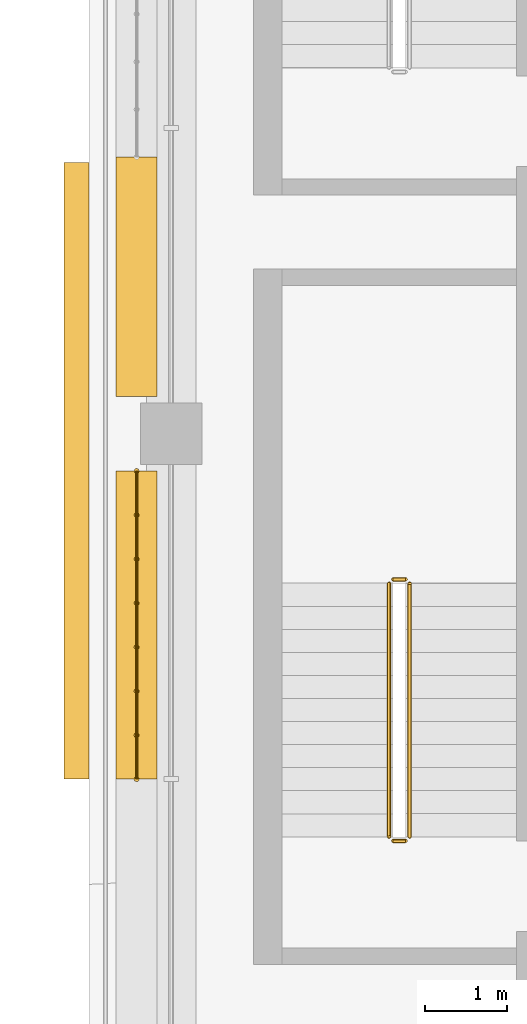
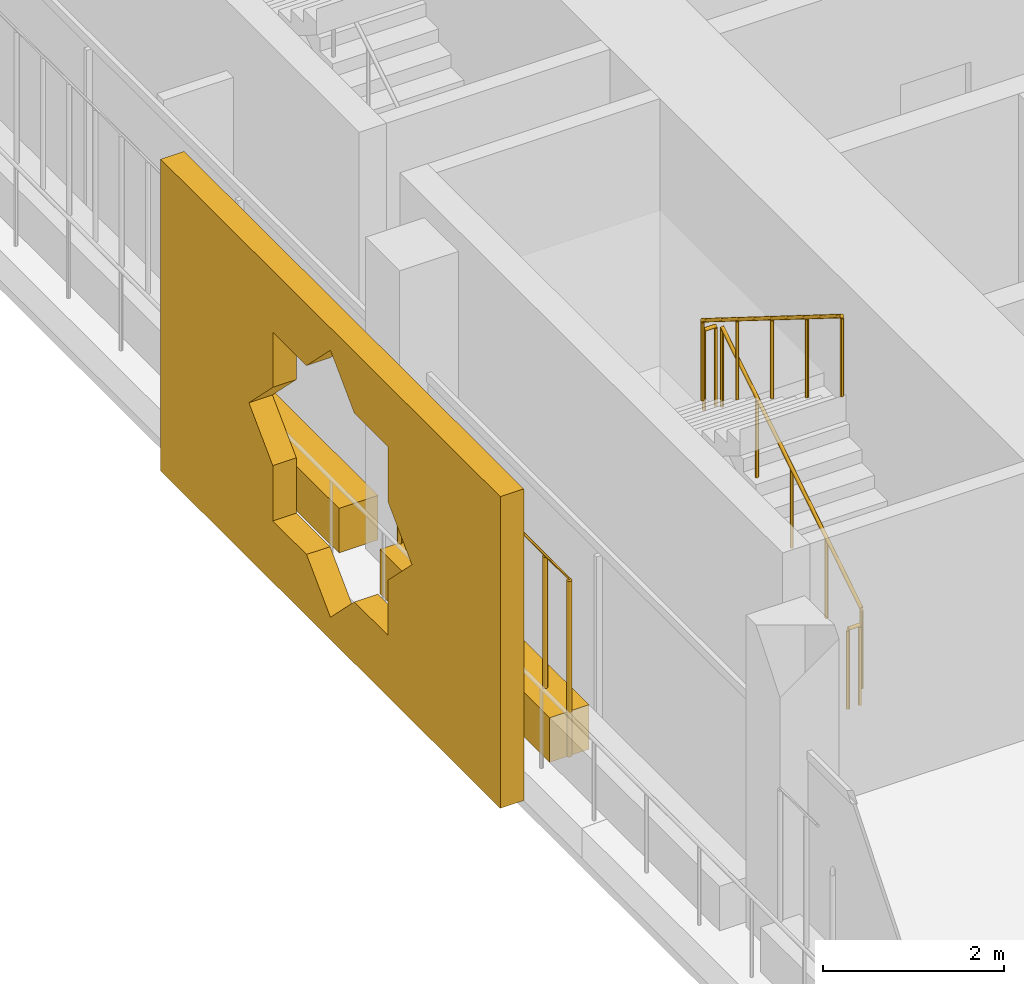
# One storey, part 17 of 22: 5 railings, 3 coverings.
"""IFC4 building model written with IfcOpenShell, lengths in metres."""

from ifc_helpers import new_model, si_unit, direction, frame, origin, origin_2d, place, context, subcontext, project, spatial, polyline, rectangle, circle, outline, extrude, material, material_profile, profile_set, type_object, element, save


model = new_model("IFC4")

# Units and contexts
model_context = context("Model", 3, precision=1e-05, world=origin(), true_north=direction((0.0, 1.0)))
body_context = subcontext(model_context, "Body", "Model", "MODEL_VIEW")
ifc_project = project(units=[si_unit("LENGTHUNIT", "METRE"), si_unit("AREAUNIT", "SQUARE_METRE"), si_unit("VOLUMEUNIT", "CUBIC_METRE"), si_unit("PLANEANGLEUNIT", "RADIAN"), si_unit("MASSUNIT", "GRAM", prefix="KILO")], contexts=[model_context])

# Site, building, storey
site_placement = place(None, origin())
site = spatial("IfcSite", under=ifc_project, at=site_placement, CompositionType="ELEMENT")
building_placement = place(site_placement, origin())
building = spatial("IfcBuilding", under=site, at=building_placement, Name="Kawkab Arch Medical Tower", CompositionType="ELEMENT")
storey_placement = place(building_placement, frame((0.0, 0.0, 298.60009765625)))
storey = spatial("IfcBuildingStorey", under=building, at=storey_placement, Name="L69", CompositionType="ELEMENT", Elevation=298.60009765625)

# Coverings
ifc_material_1 = material(Name="Bronze anodised aluminium mashrabiya panel, eight-point star pattern", Category="aluminium")
ifc_material_profile_1 = material_profile(ifc_material_1, outline(polyline([(-3.75, -2.10009765625), (3.75, -2.10009765625), (3.75, 2.10009765625), (-3.75, 2.10009765625), (-3.75, -2.10009765625)]), holes=[polyline([(1.800048828125, 0.0), (1.272705078125, 0.527099609375), (1.272705078125, 1.272705078125), (0.527099609375, 1.272705078125), (0.0, 1.800048828125), (-0.527099609375, 1.272705078125), (-1.272705078125, 1.272705078125), (-1.272705078125, 0.527099609375), (-1.800048828125, 0.0), (-1.272705078125, -0.527099609375), (-1.272705078125, -1.272705078125), (-0.527099609375, -1.272705078125), (0.0, -1.800048828125), (0.527099609375, -1.272705078125), (1.272705078125, -1.272705078125), (1.272705078125, -0.527099609375), (1.800048828125, 0.0)])]), Name="Mashrabiya panel 7500x4200")
ifc_profile_set_1 = profile_set([ifc_material_profile_1], Name="Bronze anodised aluminium mashrabiya panel, eight-point star pattern")
covering_type_1 = type_object("IfcCoveringType", Name="Mashrabiya panel 7500 x 4200", PredefinedType="USERDEFINED", material=ifc_profile_set_1)
covering_1_placement = place(storey_placement, frame((-1.0, -17.24951171875, 1.699951171875), z_axis=(-1.0, 0.0, 0.0), x_axis=(0.0, -1.0, 0.0)))
element("IfcCovering", 1, at=covering_1_placement, inside=storey, type_object=covering_type_1, Name="Mashrabiya panel L69.LOG-01-01.2", ObjectType="SCREEN", PredefinedType="USERDEFINED", context=body_context, shape_type="SweptSolid", body=[
    extrude(outline(polyline([(-3.75, -2.10009765625), (3.75, -2.10009765625), (3.75, 2.10009765625), (-3.75, 2.10009765625), (-3.75, -2.10009765625)]), holes=[polyline([(1.800048828125, 0.0), (1.272705078125, 0.527099609375), (1.272705078125, 1.272705078125), (0.527099609375, 1.272705078125), (0.0, 1.800048828125), (-0.527099609375, 1.272705078125), (-1.272705078125, 1.272705078125), (-1.272705078125, 0.527099609375), (-1.800048828125, 0.0), (-1.272705078125, -0.527099609375), (-1.272705078125, -1.272705078125), (-0.527099609375, -1.272705078125), (0.0, -1.800048828125), (0.527099609375, -1.272705078125), (1.272705078125, -1.272705078125), (1.272705078125, -0.527099609375), (1.800048828125, 0.0)])]), origin(), (0.0, 0.0, 1.0), 0.300048828125),
])
ifc_material_2 = material(Name="Planting soil in a precast trough", Category="concrete")
ifc_material_profile_2 = material_profile(ifc_material_2, rectangle(XDim=0.5, YDim=0.60009765625, at=origin_2d()), Name="Trough 500x600")
ifc_profile_set_2 = profile_set([ifc_material_profile_2], Name="Planting soil in a precast trough")
covering_type_2 = type_object("IfcCoveringType", Name="Planter trough 500 x 600", PredefinedType="USERDEFINED", material=ifc_profile_set_2)
covering_2_placement = place(storey_placement, frame((-0.419921875, -21.0, 0.2998046875), z_axis=(0.0, 1.0, 0.0), x_axis=(-1.0, 0.0, 0.0)))
element("IfcCovering", 2, at=covering_2_placement, inside=storey, type_object=covering_type_2, Name="Planter L69.LOG-01-01.7", ObjectType="PLANTER", PredefinedType="USERDEFINED", context=body_context, shape_type="SweptSolid", body=[
    extrude(rectangle(XDim=0.5, YDim=0.60009765625, at=origin_2d()), origin(), (0.0, 0.0, 1.0), 3.7470703125),
])
covering_3_placement = place(storey_placement, frame((-0.419921875, -16.346923828125, 0.2998046875), z_axis=(0.0, 1.0, 0.0), x_axis=(-1.0, 0.0, 0.0)))
element("IfcCovering", 3, at=covering_3_placement, inside=storey, type_object=covering_type_2, Name="Planter L69.LOG-01-01.8", ObjectType="PLANTER", PredefinedType="USERDEFINED", context=body_context, shape_type="SweptSolid", body=[
    extrude(rectangle(XDim=0.5, YDim=0.60009765625, at=origin_2d()), origin(), (0.0, 0.0, 1.0), 2.909912109375),
])

# Railings
ifc_material_3 = material(Name="Bronze anodised aluminium trellis for climbing plants", Category="aluminium")
railing_type_1 = type_object("IfcRailingType", Name="Planting trellis 2400", PredefinedType="USERDEFINED", material=ifc_material_3)
railing_1_placement = place(storey_placement, frame((-0.419921875, -21.0, 0.0)))
element("IfcRailing", 4, at=railing_1_placement, inside=storey, type_object=railing_type_1, Name="Planting trellis L69.LOG-01-01.7", ObjectType="TRELLIS", PredefinedType="USERDEFINED", context=body_context, shape_type="SweptSolid", body=[
    extrude(circle(Radius=0.01513671875, at=origin_2d()), frame((0.0, 0.0, 2.384765625), z_axis=(0.0, 1.0, 0.0), x_axis=(-1.0, 0.0, 0.0)), (0.0, 0.0, 1.0), 3.7470703125),
    extrude(circle(Radius=0.030029296875, at=origin_2d()), origin(), (0.0, 0.0, 1.0), 2.369873046875),
    extrude(circle(Radius=0.030029296875, at=origin_2d()), frame((0.0, 0.535400390625, 0.0)), (0.0, 0.0, 1.0), 2.369873046875),
    extrude(circle(Radius=0.030029296875, at=origin_2d()), frame((0.0, 1.070556640625, 0.0)), (0.0, 0.0, 1.0), 2.369873046875),
    extrude(circle(Radius=0.030029296875, at=origin_2d()), frame((0.0, 1.60595703125, 0.0)), (0.0, 0.0, 1.0), 2.369873046875),
    extrude(circle(Radius=0.030029296875, at=origin_2d()), frame((0.0, 2.14111328125, 0.0)), (0.0, 0.0, 1.0), 2.369873046875),
    extrude(circle(Radius=0.030029296875, at=origin_2d()), frame((0.0, 2.676513671875, 0.0)), (0.0, 0.0, 1.0), 2.369873046875),
    extrude(circle(Radius=0.030029296875, at=origin_2d()), frame((0.0, 3.211669921875, 0.0)), (0.0, 0.0, 1.0), 2.369873046875),
    extrude(circle(Radius=0.030029296875, at=origin_2d()), frame((0.0, 3.7470703125, 0.0)), (0.0, 0.0, 1.0), 2.369873046875),
])
ifc_material_4 = material(Name="Stainless steel", Category="steel")
railing_type_2 = type_object("IfcRailingType", Name="Stair guard 1100", PredefinedType="GUARDRAIL", material=ifc_material_4)
railing_2_placement = place(storey_placement, frame((2.89990234375, -21.699951171875, 0.1748046875)))
element("IfcRailing", 5, at=railing_2_placement, inside=storey, type_object=railing_type_2, Name="L69 ST2 stair guard 1", PredefinedType="GUARDRAIL", context=body_context, shape_type="SweptSolid", body=[
    extrude(circle(Radius=0.02392578125, at=origin_2d()), frame((0.0, 0.0, 1.076171875), z_axis=(0.0, 0.847979421464, 0.530029150871), x_axis=(-1.0, 0.0, 0.0)), (0.0, 0.0, 1.0), 3.632080078125),
    extrude(circle(Radius=0.02099609375, at=origin_2d()), origin(), (0.0, 0.0, 1.0), 1.052001953125),
    extrude(circle(Radius=0.02099609375, at=origin_2d()), frame((0.0, 0.77001953125, 0.481201171875)), (0.0, 0.0, 1.0), 1.052001953125),
    extrude(circle(Radius=0.02099609375, at=origin_2d()), frame((0.0, 1.5400390625, 0.96240234375)), (0.0, 0.0, 1.0), 1.052001953125),
    extrude(circle(Radius=0.02099609375, at=origin_2d()), frame((0.0, 2.309814453125, 1.44384765625)), (0.0, 0.0, 1.0), 1.052001953125),
    extrude(circle(Radius=0.02099609375, at=origin_2d()), frame((0.0, 3.079833984375, 1.925048828125)), (0.0, 0.0, 1.0), 1.052001953125),
])
railing_3_placement = place(storey_placement, frame((2.85009765625, -18.570068359375, 2.099853515625)))
element("IfcRailing", 6, at=railing_3_placement, inside=storey, type_object=railing_type_2, Name="L69 ST2 stair guard 2", PredefinedType="GUARDRAIL", context=body_context, shape_type="SweptSolid", body=[
    extrude(circle(Radius=0.02392578125, at=origin_2d()), frame((0.0, 0.0, 1.076171875), z_axis=(-1.0, 0.0, 0.0), x_axis=(0.0, -1.0, 0.0)), (0.0, 0.0, 1.0), 0.150146484375),
    extrude(circle(Radius=0.02099609375, at=origin_2d()), origin(), (0.0, 0.0, 1.0), 1.052001953125),
    extrude(circle(Radius=0.02099609375, at=origin_2d()), frame((-0.150146484375, 0.0, 0.0)), (0.0, 0.0, 1.0), 1.052001953125),
])
railing_4_placement = place(storey_placement, frame((2.64990234375, -18.6201171875, 2.27490234375)))
element("IfcRailing", 7, at=railing_4_placement, inside=storey, type_object=railing_type_2, Name="L69 ST2 stair guard 3", PredefinedType="GUARDRAIL", context=body_context, shape_type="SweptSolid", body=[
    extrude(circle(Radius=0.02392578125, at=origin_2d()), frame((0.0, 0.0, 1.076171875), z_axis=(0.0, -0.847979421464, 0.530029150871), x_axis=(1.0, 0.0, 0.0)), (0.0, 0.0, 1.0), 3.632080078125),
    extrude(circle(Radius=0.02099609375, at=origin_2d()), origin(), (0.0, 0.0, 1.0), 1.052001953125),
    extrude(circle(Radius=0.02099609375, at=origin_2d()), frame((0.0, -0.77001953125, 0.481201171875)), (0.0, 0.0, 1.0), 1.052001953125),
    extrude(circle(Radius=0.02099609375, at=origin_2d()), frame((0.0, -1.5400390625, 0.96240234375)), (0.0, 0.0, 1.0), 1.052001953125),
    extrude(circle(Radius=0.02099609375, at=origin_2d()), frame((0.0, -2.309814453125, 1.44384765625)), (0.0, 0.0, 1.0), 1.052001953125),
    extrude(circle(Radius=0.02099609375, at=origin_2d()), frame((0.0, -3.079833984375, 1.925048828125)), (0.0, 0.0, 1.0), 1.052001953125),
])
railing_5_placement = place(storey_placement, frame((2.85009765625, -21.75, 0.0)))
element("IfcRailing", 8, at=railing_5_placement, inside=storey, type_object=railing_type_2, Name="L69 ST2 stair guard 4", PredefinedType="GUARDRAIL", context=body_context, shape_type="SweptSolid", body=[
    extrude(circle(Radius=0.02392578125, at=origin_2d()), frame((0.0, 0.0, 1.076171875), z_axis=(-1.0, 0.0, 0.0), x_axis=(0.0, -1.0, 0.0)), (0.0, 0.0, 1.0), 0.150146484375),
    extrude(circle(Radius=0.02099609375, at=origin_2d()), origin(), (0.0, 0.0, 1.0), 1.052001953125),
    extrude(circle(Radius=0.02099609375, at=origin_2d()), frame((-0.150146484375, 0.0, 0.0)), (0.0, 0.0, 1.0), 1.052001953125),
])

save(model, "model.ifc")
